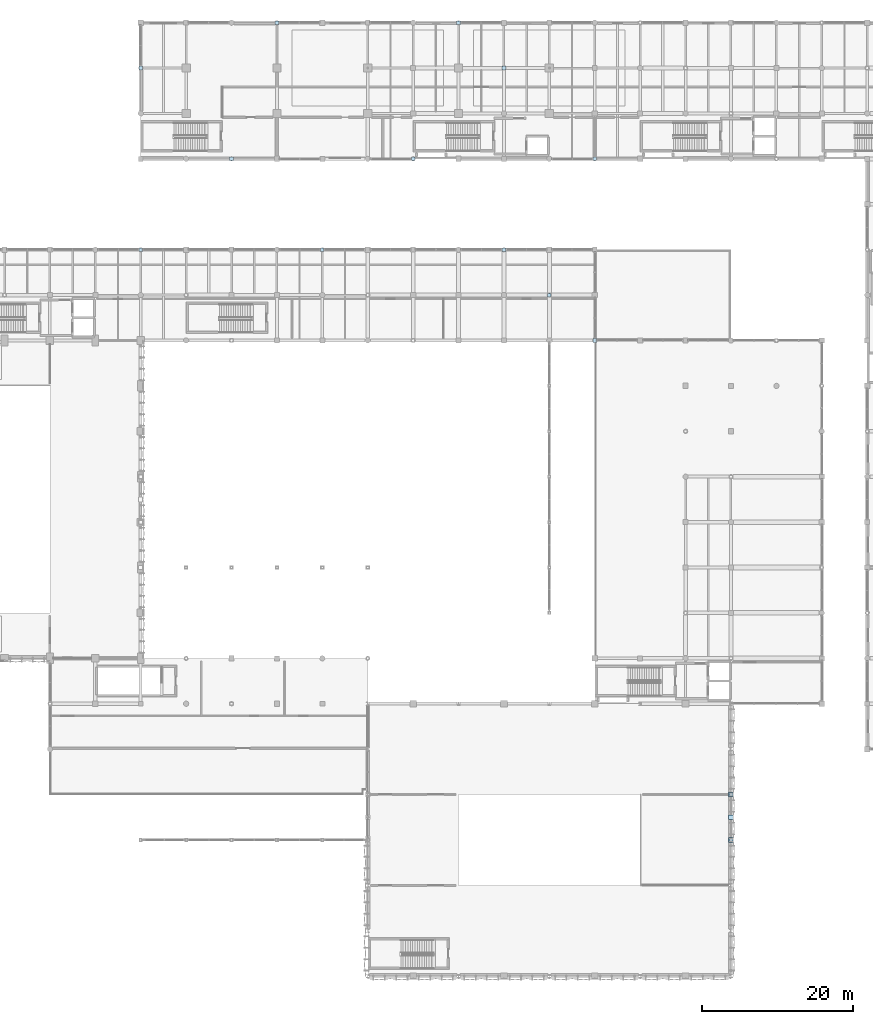
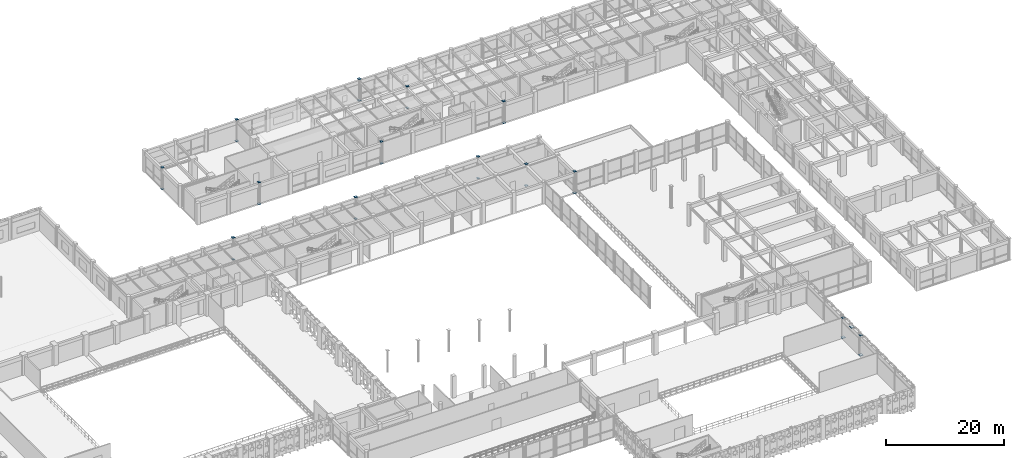
# One storey, part 85 of 116: 29 plates.
"""IFC4 building model written with IfcOpenShell, lengths in metres."""

import ifcopenshell
import ifcopenshell.guid

model = None  # the IFC model being written
_history = None  # IfcOwnerHistory: only IFC2X3 demands one
_inside = {}  # id of a spatial element -> (the spatial element, [elements in it])
_under = {}  # id of a project, library or spatial element -> (it, [spatial elements below it])
_declared = {}  # id of a project -> (the project, [libraries it declares])
_typed = {}  # id of a type object -> (the type object, [elements of that type])
_made_of = {}  # id of a material, layer set ... -> (it, [elements and type objects made of it])


def new_model(schema):
    """Start an empty IFC model of exactly this schema.

    Asked for "IFC4X3", IfcOpenShell would pick the latest addendum, in which some entities
    have other attributes; the version numbers below select the first issue.
    IFC2X3 requires an IfcOwnerHistory on every rooted entity: one is made here for all.
    """
    global model, _history
    if schema == "IFC4X3":
        model = ifcopenshell.file(schema_version=(4, 3, 0, 0))
    else:
        model = ifcopenshell.file(schema=schema)
    _inside.clear()
    _under.clear()
    _declared.clear()
    _typed.clear()
    _made_of.clear()
    _history = None
    if model.schema == "IFC2X3":
        org = make("IfcOrganization", Name="unknown")
        user = make(
            "IfcPersonAndOrganization",
            ThePerson=make("IfcPerson", FamilyName="unknown"),
            TheOrganization=org,
        )
        app = make(
            "IfcApplication",
            ApplicationDeveloper=org,
            Version="unknown",
            ApplicationFullName="unknown",
            ApplicationIdentifier="unknown",
        )
        _history = make(
            "IfcOwnerHistory",
            OwningUser=user,
            OwningApplication=app,
            ChangeAction="ADDED",
            CreationDate=0,
        )
    return model


def make(cls, **values):
    """One entity of the class cls with the attributes given. An attribute that is None is left unset."""
    return model.create_entity(
        cls, **{name: value for name, value in values.items() if value is not None}
    )


def rooted(cls, **values):
    """An entity with a GlobalId (a new one), such as an element, a storey or a relation."""
    return make(cls, GlobalId=ifcopenshell.guid.new(), OwnerHistory=_history, **values)


def si_unit(unit_type, name, prefix=None):
    """IfcSIUnit, for example si_unit("LENGTHUNIT", "METRE", prefix="MILLI")."""
    return make("IfcSIUnit", UnitType=unit_type, Prefix=prefix, Name=name)


def assignment(units):
    """IfcUnitAssignment: the units of a project."""
    return None if units is None else make("IfcUnitAssignment", Units=units)


def point(xyz):
    """IfcCartesianPoint."""
    return None if xyz is None else make("IfcCartesianPoint", Coordinates=xyz)


def direction(xyz):
    """IfcDirection."""
    return None if xyz is None else make("IfcDirection", DirectionRatios=xyz)


def frame(location, z_axis=None, x_axis=None):
    """IfcAxis2Placement3D, a coordinate frame: its origin and axes. An axis left out is left unset."""
    return make(
        "IfcAxis2Placement3D",
        Location=point(location),
        Axis=direction(z_axis),
        RefDirection=direction(x_axis),
    )


def frame_2d(location, x_axis=None):
    """IfcAxis2Placement2D, a coordinate frame in the plane: its origin and x axis."""
    return make(
        "IfcAxis2Placement2D", Location=point(location), RefDirection=direction(x_axis)
    )


def origin():
    """The frame at (0, 0, 0) with its axes left unset."""
    return frame((0.0, 0.0, 0.0))


def origin_2d():
    """The frame at (0, 0) in the plane with its x axis left unset."""
    return frame_2d((0.0, 0.0))


def place(relative_to, where):
    """IfcLocalPlacement: puts the frame where relative to a parent placement (None: the world)."""
    return make(
        "IfcLocalPlacement", PlacementRelTo=relative_to, RelativePlacement=where
    )


def context(
    kind, dimensions, precision=None, world=None, true_north=None, identifier=None
):
    """IfcGeometricRepresentationContext, for example the 3D "Model" context."""
    return make(
        "IfcGeometricRepresentationContext",
        ContextIdentifier=identifier,
        ContextType=kind,
        CoordinateSpaceDimension=dimensions,
        Precision=precision,
        WorldCoordinateSystem=world,
        TrueNorth=true_north,
    )


def subcontext(parent, identifier, kind, view, scale=None):
    """IfcGeometricRepresentationSubContext, for example "Body" below "Model"."""
    return make(
        "IfcGeometricRepresentationSubContext",
        ContextIdentifier=identifier,
        ContextType=kind,
        ParentContext=parent,
        TargetScale=scale,
        TargetView=view,
    )


def project(units=None, contexts=None):
    """IfcProject with its units and contexts."""
    return rooted(
        "IfcProject",
        Name="project",
        RepresentationContexts=contexts,
        UnitsInContext=assignment(units),
    )


def spatial(cls, under=None, at=None, **own):
    """A site, building, storey or space (cls), placed at a placement, below another one or the project."""
    s = rooted(cls, ObjectPlacement=at, **own)
    if under is not None:
        _under.setdefault(under.id(), (under, []))[1].append(s)
    return s


def profile(cls, at=None, kind="AREA", **sizes):
    """A parametric profile (cls). Its sizes go by their IFC names, for example OverallWidth=200.0."""
    return make(cls, ProfileType=kind, Position=at, **sizes)


def rectangle(**sizes):
    """IfcRectangleProfileDef."""
    return profile("IfcRectangleProfileDef", **sizes)


def extrude(swept, where, along, depth):
    """IfcExtrudedAreaSolid: the profile swept, set in the frame where, extruded along a direction by depth."""
    return make(
        "IfcExtrudedAreaSolid",
        SweptArea=swept,
        Position=where,
        ExtrudedDirection=direction(along),
        Depth=depth,
    )


def shape(context_of_items, identifier, shape_type, items):
    """IfcShapeRepresentation: the items that make up one representation, for example the "Body"."""
    return make(
        "IfcShapeRepresentation",
        ContextOfItems=context_of_items,
        RepresentationIdentifier=identifier,
        RepresentationType=shape_type,
        Items=items,
    )


def material(Name=None, Category=None):
    """IfcMaterial."""
    return make("IfcMaterial", Name=Name, Category=Category)


def layer(
    of_material, thickness, ventilated=None, Name=None, Category=None, Priority=None
):
    """IfcMaterialLayer: one layer of a wall or slab, of a material (None: an air gap)."""
    return make(
        "IfcMaterialLayer",
        Material=of_material,
        LayerThickness=thickness,
        IsVentilated=ventilated,
        Name=Name,
        Category=Category,
        Priority=Priority,
    )


def layer_set(layers, Name=None):
    """IfcMaterialLayerSet."""
    return make("IfcMaterialLayerSet", MaterialLayers=layers, LayerSetName=Name)


def made_of(thing, what):
    """Note that an element or type object is made of a material, layer set ...; save() writes the relation."""
    if what is not None:
        _made_of.setdefault(what.id(), (what, []))[1].append(thing)
    return thing


def type_object(cls, material=None, **own):
    """A type object (cls), such as IfcWallType, which elements share."""
    return made_of(rooted(cls, **own), material)


def element(
    cls,
    number,
    at=None,
    inside=None,
    cuts=None,
    type_object=None,
    material=None,
    context=None,
    identifier="Body",
    shape_type=None,
    held_by="IfcProductDefinitionShape",
    body=None,
    shapes=None,
    **own,
):
    """One element of the class cls, such as IfcWall. Its Tag is "e" and its number.

    at: its placement. inside: the storey or other place that contains it. cuts: it is an
    opening in that element (IfcRelVoidsElement). A single representation is given by context,
    identifier, shape_type and body (its items); several are given by shapes. held_by: the class
    of the entity that holds the representations. save() writes the other relations.
    """
    e = rooted(cls, Tag="e%d" % number, ObjectPlacement=at, **own)
    if body is not None:
        shapes = [shape(context, identifier, shape_type, body)]
    if shapes is not None:
        e.Representation = make(held_by, Representations=shapes)
    if inside is not None:
        _inside.setdefault(inside.id(), (inside, []))[1].append(e)
    if cuts is not None:
        rooted(
            "IfcRelVoidsElement", RelatingBuildingElement=cuts, RelatedOpeningElement=e
        )
    if type_object is not None:
        _typed.setdefault(type_object.id(), (type_object, []))[1].append(e)
    return made_of(e, material)


def aggregate(whole, parts):
    """IfcRelAggregates: a whole, such as a stair, and the parts it consists of."""
    return rooted("IfcRelAggregates", RelatingObject=whole, RelatedObjects=parts)


def save(model, path):
    """Write the relations noted so far, then the file.

    IfcRelAggregates (storeys below a building ...), IfcRelContainedInSpatialStructure (elements
    in a storey), IfcRelDefinesByType, IfcRelAssociatesMaterial and IfcRelDeclares: one each for
    every whole, place, type object, material and project.
    """
    for whole, parts in _under.values():
        aggregate(whole, parts)
    for where, things in _inside.values():
        rooted(
            "IfcRelContainedInSpatialStructure",
            RelatedElements=things,
            RelatingStructure=where,
        )
    for kind, things in _typed.values():
        rooted("IfcRelDefinesByType", RelatedObjects=things, RelatingType=kind)
    for what, things in _made_of.values():
        rooted("IfcRelAssociatesMaterial", RelatedObjects=things, RelatingMaterial=what)
    for by, libraries in _declared.values():
        rooted("IfcRelDeclares", RelatingContext=by, RelatedDefinitions=libraries)
    model.write(path)


model = new_model("IFC4")

# Units and contexts
model_context = context("Model", 3, precision=1e-05, world=origin(), true_north=direction((0.0, 1.0)))
body_context = subcontext(model_context, "Body", "Model", "MODEL_VIEW")
ifc_project = project(units=[si_unit("LENGTHUNIT", "METRE"), si_unit("AREAUNIT", "SQUARE_METRE"), si_unit("VOLUMEUNIT", "CUBIC_METRE"), si_unit("PLANEANGLEUNIT", "RADIAN"), si_unit("MASSUNIT", "GRAM", prefix="KILO"), si_unit("THERMODYNAMICTEMPERATUREUNIT", "KELVIN"), si_unit("POWERUNIT", "WATT")], contexts=[model_context])

# Site, building, storey
site_placement = place(None, origin())
site = spatial("IfcSite", under=ifc_project, at=site_placement, CompositionType="ELEMENT")
building_placement = place(site_placement, origin())
building = spatial("IfcBuilding", under=site, at=building_placement, Name="Phaisarnlok Congress Hotel", CompositionType="ELEMENT")
storey_placement = place(building_placement, frame((0.0, 0.0, 10.5)))
storey = spatial("IfcBuildingStorey", under=building, at=storey_placement, Name="L02", CompositionType="ELEMENT", Elevation=10.5)

# Plates
ifc_material = material(Name="Steel S355", Category="steel")
ifc_layer_1 = layer(ifc_material, 0.0400390625, Name="Steel S355")
ifc_layer_set_1 = layer_set([ifc_layer_1], Name="Steel S355")
plate_type_1 = type_object("IfcPlateType", Name="PLT-CAP-480", PredefinedType="SHEET", material=ifc_layer_set_1)
for number, where, z_axis, x_axis, name in (
    (1, (66.0, 96.0, -0.02001953125), (0.0, 0.0, 1.0), (1.0, 0.0, 0.0), "Steel column cap/base plate NP-04 at NP-COLB-COL-L02-066-096"),
    (2, (66.0, 96.0, 4.47998046875), (0.0, 0.0, 1.0), (1.0, 0.0, 0.0), "Steel column cap/base plate NP-04 at NP-COLT-COL-L02-066-096"),
    (3, (66.0, 120.0, -0.02001953125), (0.0, 0.0, 1.0), (1.0, 0.0, 0.0), "Steel column cap/base plate NP-04 at NP-COLB-COL-L02-066-120"),
    (4, (66.0, 120.0, 4.47998046875), (0.0, 0.0, 1.0), (1.0, 0.0, 0.0), "Steel column cap/base plate NP-04 at NP-COLT-COL-L02-066-120"),
    (5, (78.0, 108.0, -0.02001953125), (0.0, 0.0, 1.0), (1.0, 0.0, 0.0), "Steel column cap/base plate NP-04 at NP-COLB-COL-L02-078-108"),
    (6, (78.0, 108.0, 4.47998046875), (0.0, 0.0, 1.0), (1.0, 0.0, 0.0), "Steel column cap/base plate NP-04 at NP-COLT-COL-L02-078-108"),
    (7, (84.0, 126.0, -0.02001953125), (0.0, 0.0, 1.0), (1.0, 0.0, 0.0), "Steel column cap/base plate NP-04 at NP-COLB-COL-L02-084-126"),
    (8, (84.0, 126.0, 4.47998046875), (0.0, 0.0, 1.0), (1.0, 0.0, 0.0), "Steel column cap/base plate NP-04 at NP-COLT-COL-L02-084-126"),
    (9, (90.0, 96.0, -0.02001953125), (0.0, 0.0, 1.0), (1.0, 0.0, 0.0), "Steel column cap/base plate NP-04 at NP-COLB-COL-L02-090-096"),
    (10, (90.0, 96.0, 4.47998046875), (0.0, 0.0, 1.0), (1.0, 0.0, 0.0), "Steel column cap/base plate NP-04 at NP-COLT-COL-L02-090-096"),
    (11, (102.0, 108.0, -0.02001953125), (0.0, 0.0, 1.0), (1.0, 0.0, 0.0), "Steel column cap/base plate NP-04 at NP-COLB-COL-L02-102-108"),
    (12, (102.0, 108.0, 4.47998046875), (0.0, 0.0, 1.0), (1.0, 0.0, 0.0), "Steel column cap/base plate NP-04 at NP-COLT-COL-L02-102-108"),
    (13, (108.0, 126.0, -0.02001953125), (0.0, 0.0, 1.0), (1.0, 0.0, 0.0), "Steel column cap/base plate NP-04 at NP-COLB-COL-L02-108-126"),
    (14, (108.0, 126.0, 4.47998046875), (0.0, 0.0, 1.0), (1.0, 0.0, 0.0), "Steel column cap/base plate NP-04 at NP-COLT-COL-L02-108-126"),
    (15, (114.0, 96.0, -0.02001953125), (0.0, 0.0, 1.0), (1.0, 0.0, 0.0), "Steel column cap/base plate NP-04 at NP-COLB-COL-L02-114-096"),
    (16, (114.0, 96.0, 4.47998046875), (0.0, 0.0, 1.0), (1.0, 0.0, 0.0), "Steel column cap/base plate NP-04 at NP-COLT-COL-L02-114-096"),
    (17, (114.0, 120.0, -0.02001953125), (0.0, 0.0, 1.0), (1.0, 0.0, 0.0), "Steel column cap/base plate NP-04 at NP-COLB-COL-L02-114-120"),
    (18, (114.0, 120.0, 4.47998046875), (0.0, 0.0, 1.0), (1.0, 0.0, 0.0), "Steel column cap/base plate NP-04 at NP-COLT-COL-L02-114-120"),
    (19, (120.0, 90.0, -0.02001953125), (0.0, 0.0, 1.0), (1.0, 0.0, 0.0), "Steel column cap/base plate NP-04 at NP-COLB-COL-L02-120-090"),
    (20, (120.0, 90.0, 4.47998046875), (0.0, 0.0, 1.0), (1.0, 0.0, 0.0), "Steel column cap/base plate NP-04 at NP-COLT-COL-L02-120-090"),
    (21, (126.0, 84.0, -0.02001953125), (0.0, 0.0, 1.0), (1.0, 0.0, 0.0), "Steel column cap/base plate NP-04 at NP-COLB-COL-L02-126-084"),
    (22, (126.0, 84.0, 4.47998046875), (0.0, 0.0, 1.0), (1.0, 0.0, 0.0), "Steel column cap/base plate NP-04 at NP-COLT-COL-L02-126-084"),
    (23, (126.0, 108.0, -0.02001953125), (0.0, 0.0, 1.0), (1.0, 0.0, 0.0), "Steel column cap/base plate NP-04 at NP-COLB-COL-L02-126-108"),
    (24, (126.0, 108.0, 4.47998046875), (0.0, 0.0, 1.0), (1.0, 0.0, 0.0), "Steel column cap/base plate NP-04 at NP-COLT-COL-L02-126-108"),
):
    element("IfcPlate", number, at=place(storey_placement, frame(where, z_axis=z_axis, x_axis=x_axis)), inside=storey, type_object=plate_type_1, Name=name, PredefinedType="SHEET", context=body_context, shape_type="SweptSolid", body=[
        extrude(rectangle(XDim=0.47998046875, YDim=0.47998046875, at=origin_2d()), origin(), (0.0, 0.0, 1.0), 0.0400390625),
    ])
ifc_layer_2 = layer(ifc_material, 0.01611328125, Name="Steel S355")
ifc_layer_set_2 = layer_set([ifc_layer_2], Name="Steel S355")
plate_type_2 = type_object("IfcPlateType", Name="PLT-GUS-650", PredefinedType="SHEET", material=ifc_layer_set_2)
for number, where, z_axis, x_axis, name in (
    (25, (144.0, 18.0, 0.141845703125), (0.0, 0.0, 1.0), (1.0, 0.0, 0.0), "Steel truss node plate NP-05 at NP-BF-D-L02-A"),
    (26, (144.0, 24.0, 0.141845703125), (0.0, 0.0, 1.0), (1.0, 0.0, 0.0), "Steel truss node plate NP-05 at NP-BF-D-L02-B"),
    (27, (144.0, 21.0, 4.112060546875), (0.0, 0.0, 1.0), (1.0, 0.0, 0.0), "Steel truss node plate NP-05 at NP-BF-D-L02-M"),
):
    element("IfcPlate", number, at=place(storey_placement, frame(where, z_axis=z_axis, x_axis=x_axis)), inside=storey, type_object=plate_type_2, Name=name, PredefinedType="SHEET", context=body_context, shape_type="SweptSolid", body=[
        extrude(rectangle(XDim=0.64990234375, YDim=0.64990234375, at=origin_2d()), origin(), (0.0, 0.0, 1.0), 0.01611328125),
    ])
ifc_layer_3 = layer(ifc_material, 0.02001953125, Name="Steel S355")
ifc_layer_set_3 = layer_set([ifc_layer_3], Name="Steel S355")
plate_type_3 = type_object("IfcPlateType", Name="PLT-NODE-480", PredefinedType="SHEET", material=ifc_layer_set_3)
for number, where, z_axis, x_axis, name in (
    (28, (144.0, 18.0, 4.22998046875), (0.0, 0.0, 1.0), (1.0, 0.0, 0.0), "Steel truss node plate NP-03 at NP-BF-D-L02-T1"),
    (29, (144.0, 24.0, 4.22998046875), (0.0, 0.0, 1.0), (1.0, 0.0, 0.0), "Steel truss node plate NP-03 at NP-BF-D-L02-T2"),
):
    element("IfcPlate", number, at=place(storey_placement, frame(where, z_axis=z_axis, x_axis=x_axis)), inside=storey, type_object=plate_type_3, Name=name, PredefinedType="SHEET", context=body_context, shape_type="SweptSolid", body=[
        extrude(rectangle(XDim=0.47998046875, YDim=0.47998046875, at=origin_2d()), origin(), (0.0, 0.0, 1.0), 0.02001953125),
    ])

save(model, "model.ifc")
